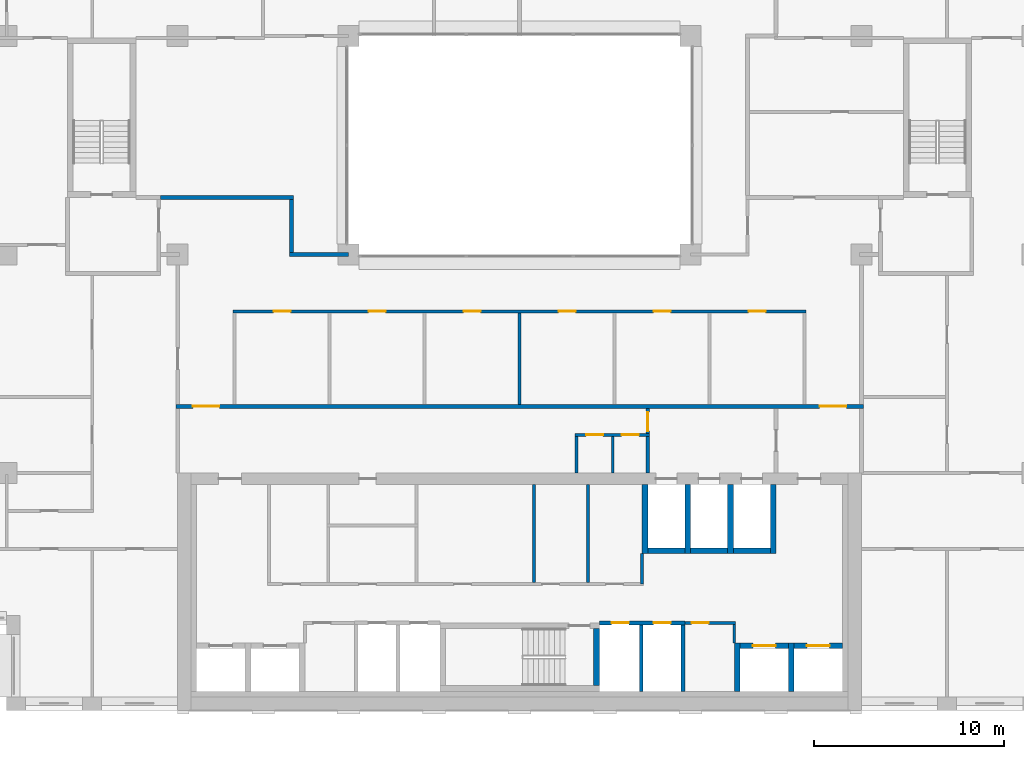
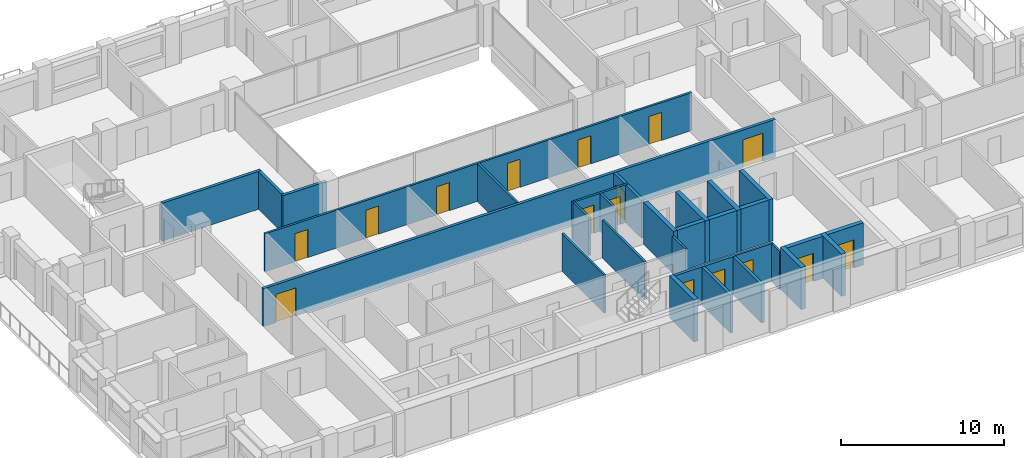
# One storey, part 10 of 16: 31 walls, 16 doors, 16 openings.
"""IFC4 building model written with IfcOpenShell, lengths in metres."""

from ifc_helpers import new_model, si_unit, direction, frame, frame_2d, origin, place, context, subcontext, project, spatial, rectangle, extrude, material, layer, layer_set, type_object, element, fill, save


model = new_model("IFC4")

# Units and contexts
model_context = context("Model", 3, precision=1e-05, world=origin(), true_north=direction((0.0, 1.0)))
body_context = subcontext(model_context, "Body", "Model", "MODEL_VIEW")
ifc_project = project(units=[si_unit("LENGTHUNIT", "METRE"), si_unit("AREAUNIT", "SQUARE_METRE"), si_unit("VOLUMEUNIT", "CUBIC_METRE"), si_unit("PLANEANGLEUNIT", "RADIAN"), si_unit("MASSUNIT", "GRAM", prefix="KILO")], contexts=[model_context])

# Site, building, storey
site_placement = place(None, origin())
site = spatial("IfcSite", under=ifc_project, at=site_placement, CompositionType="ELEMENT")
building_placement = place(site_placement, origin())
building = spatial("IfcBuilding", under=site, at=building_placement, Name="Brigalow Station Residences", CompositionType="ELEMENT")
storey_placement = place(building_placement, frame((0.0, 0.0, 169.64990234375)))
storey = spatial("IfcBuildingStorey", under=building, at=storey_placement, Name="L49", CompositionType="ELEMENT", Elevation=169.64990234375)

# Walls
ifc_material_1 = material(Name="Concrete C65", Category="concrete")
ifc_layer_1 = layer(ifc_material_1, 0.300048828125)
ifc_layer_set_1 = layer_set([ifc_layer_1], Name="CORE SHEAR WALL 300 C65")
wall_type_1 = type_object("IfcWallType", Name="CORE SHEAR WALL 300 C65", PredefinedType="SHEAR", material=ifc_layer_set_1)
wall_1_placement = place(storey_placement, frame((42.75, 8.39990234375, 0.0), z_axis=(0.0, 0.0, 1.0), x_axis=(1.0, 0.0, 0.0)))
element("IfcWall", 1, at=wall_1_placement, inside=storey, type_object=wall_type_1, Name="CORE WALL SH-FF1-S L49", PredefinedType="SHEAR", context=body_context, shape_type="SweptSolid", body=[
    extrude(rectangle(XDim=1.949951171875, YDim=0.300048828125, at=frame_2d((0.97509765625, 0.0))), origin(), (0.0, 0.0, 1.0), 3.150146484375),
])
wall_2_placement = place(storey_placement, frame((42.60009765625, 8.25, 0.0), z_axis=(0.0, 0.0, 1.0), x_axis=(0.0, 1.0, 0.0)))
element("IfcWall", 2, at=wall_2_placement, inside=storey, type_object=wall_type_1, Name="CORE WALL SH-FF1-W L49", PredefinedType="SHEAR", context=body_context, shape_type="SweptSolid", body=[
    extrude(rectangle(XDim=3.64990234375, YDim=0.300048828125, at=frame_2d((1.824951171875, 0.0))), origin(), (0.0, 0.0, 1.0), 3.150146484375),
])
wall_3_placement = place(storey_placement, frame((45.0, 8.39990234375, 0.0), z_axis=(0.0, 0.0, 1.0), x_axis=(1.0, 0.0, 0.0)))
element("IfcWall", 3, at=wall_3_placement, inside=storey, type_object=wall_type_1, Name="CORE WALL SH-FF2-S L49", PredefinedType="SHEAR", context=body_context, shape_type="SweptSolid", body=[
    extrude(rectangle(XDim=1.949951171875, YDim=0.300048828125, at=frame_2d((0.97509765625, 0.0))), origin(), (0.0, 0.0, 1.0), 3.150146484375),
])
wall_4_placement = place(storey_placement, frame((44.85009765625, 8.25, 0.0), z_axis=(0.0, 0.0, 1.0), x_axis=(0.0, 1.0, 0.0)))
element("IfcWall", 4, at=wall_4_placement, inside=storey, type_object=wall_type_1, Name="CORE WALL SH-FF2-W L49", PredefinedType="SHEAR", context=body_context, shape_type="SweptSolid", body=[
    extrude(rectangle(XDim=3.64990234375, YDim=0.300048828125, at=frame_2d((1.824951171875, 0.0))), origin(), (0.0, 0.0, 1.0), 3.150146484375),
])
wall_5_placement = place(storey_placement, frame((47.25, 8.39990234375, 0.0), z_axis=(0.0, 0.0, 1.0), x_axis=(1.0, 0.0, 0.0)))
element("IfcWall", 5, at=wall_5_placement, inside=storey, type_object=wall_type_1, Name="CORE WALL SH-SL1-S L49", PredefinedType="SHEAR", context=body_context, shape_type="SweptSolid", body=[
    extrude(rectangle(XDim=1.949951171875, YDim=0.300048828125, at=frame_2d((0.97509765625, 0.0))), origin(), (0.0, 0.0, 1.0), 3.150146484375),
])
for number, where, z_axis, x_axis, name in (
    (6, (47.10009765625, 8.25, 0.0), (0.0, 0.0, 1.0), (0.0, 1.0, 0.0), "CORE WALL SH-SL1-W L49"),
    (7, (49.35009765625, 8.25, 0.0), (0.0, 0.0, 1.0), (0.0, 1.0, 0.0), "CORE WALL SH-SL1-E L49"),
):
    element("IfcWall", number, at=place(storey_placement, frame(where, z_axis=z_axis, x_axis=x_axis)), inside=storey, type_object=wall_type_1, Name=name, PredefinedType="SHEAR", context=body_context, shape_type="SweptSolid", body=[
        extrude(rectangle(XDim=3.64990234375, YDim=0.300048828125, at=frame_2d((1.824951171875, 0.0))), origin(), (0.0, 0.0, 1.0), 3.150146484375),
    ])

# Wall, opening, door
wall_6_placement = place(storey_placement, frame((47.60009765625, 3.39990234375, 0.0), z_axis=(0.0, 0.0, 1.0), x_axis=(1.0, 0.0, 0.0)))
wall_6 = element("IfcWall", 8, at=wall_6_placement, inside=storey, type_object=wall_type_1, Name="CORE WALL SH-C3-N L49", PredefinedType="SHEAR", context=body_context, shape_type="SweptSolid", body=[
    extrude(rectangle(XDim=2.5498046875, YDim=0.300048828125, at=frame_2d((1.27490234375, 0.0))), origin(), (0.0, 0.0, 1.0), 3.150146484375),
])
opening_1_placement = place(wall_6_placement, frame((0.675048828125, 0.0, 0.0)))
opening_1 = element("IfcOpeningElement", 9, at=opening_1_placement, cuts=wall_6, Name="Opening LD-LB3", PredefinedType="OPENING", context=body_context, shape_type="SweptSolid", body=[
    extrude(rectangle(XDim=1.199951171875, YDim=2.10009765625, at=frame_2d((0.60009765625, 1.050048828125))), frame((0.0, 0.16015625, 0.0), z_axis=(0.0, -1.0, 0.0), x_axis=(1.0, 0.0, 0.0)), (0.0, 0.0, 1.0), 0.320068359375),
])
ifc_material_2 = material(Name="Stainless steel sliding door leaves", Category="steel")
door_type_1 = type_object("IfcDoorType", Name="LIFT LANDING DOOR 1200 x 2100", OperationType="DOUBLE_DOOR_SLIDING", PredefinedType="DOOR", material=ifc_material_2)
door_1_placement = place(opening_1_placement, origin())
door_1 = element("IfcDoor", 10, at=door_1_placement, inside=storey, type_object=door_type_1, Name="LANDING DOOR LB3", OperationType="DOUBLE_DOOR_SLIDING", OverallHeight=2.10009765625, OverallWidth=1.199951171875, PredefinedType="DOOR", context=body_context, shape_type="SweptSolid", body=[
    extrude(rectangle(XDim=1.199951171875, YDim=2.10009765625, at=frame_2d((0.60009765625, 1.050048828125))), frame((0.0, 0.02490234375, 0.0), z_axis=(0.0, -1.0, 0.0), x_axis=(1.0, 0.0, 0.0)), (0.0, 0.0, 1.0), 0.050048828125),
])
fill(opening_1, door_1)

# Wall
wall_7_placement = place(storey_placement, frame((47.449951171875, 1.0, 0.0), z_axis=(0.0, 0.0, 1.0), x_axis=(0.0, 1.0, 0.0)))
element("IfcWall", 11, at=wall_7_placement, inside=storey, type_object=wall_type_1, Name="CORE WALL SH-C3-W L49", PredefinedType="SHEAR", context=body_context, shape_type="SweptSolid", body=[
    extrude(rectangle(XDim=2.550048828125, YDim=0.300048828125, at=frame_2d((1.27490234375, 0.0))), origin(), (0.0, 0.0, 1.0), 3.150146484375),
])

# Wall, opening, door
wall_8_placement = place(storey_placement, frame((50.449951171875, 3.39990234375, 0.0), z_axis=(0.0, 0.0, 1.0), x_axis=(1.0, 0.0, 0.0)))
wall_8 = element("IfcWall", 12, at=wall_8_placement, inside=storey, type_object=wall_type_1, Name="CORE WALL SH-C4-N L49", PredefinedType="SHEAR", context=body_context, shape_type="SweptSolid", body=[
    extrude(rectangle(XDim=2.550048828125, YDim=0.300048828125, at=frame_2d((1.27490234375, 0.0))), origin(), (0.0, 0.0, 1.0), 3.150146484375),
])
opening_2_placement = place(wall_8_placement, frame((0.675048828125, 0.0, 0.0)))
opening_2 = element("IfcOpeningElement", 13, at=opening_2_placement, cuts=wall_8, Name="Opening LD-LB4", PredefinedType="OPENING", context=body_context, shape_type="SweptSolid", body=[
    extrude(rectangle(XDim=1.199951171875, YDim=2.10009765625, at=frame_2d((0.60009765625, 1.050048828125))), frame((0.0, 0.16015625, 0.0), z_axis=(0.0, -1.0, 0.0), x_axis=(1.0, 0.0, 0.0)), (0.0, 0.0, 1.0), 0.320068359375),
])
door_2_placement = place(opening_2_placement, origin())
door_2 = element("IfcDoor", 14, at=door_2_placement, inside=storey, type_object=door_type_1, Name="LANDING DOOR LB4", OperationType="DOUBLE_DOOR_SLIDING", OverallHeight=2.10009765625, OverallWidth=1.199951171875, PredefinedType="DOOR", context=body_context, shape_type="SweptSolid", body=[
    extrude(rectangle(XDim=1.199951171875, YDim=2.10009765625, at=frame_2d((0.60009765625, 1.050048828125))), frame((0.0, 0.02490234375, 0.0), z_axis=(0.0, -1.0, 0.0), x_axis=(1.0, 0.0, 0.0)), (0.0, 0.0, 1.0), 0.050048828125),
])
fill(opening_2, door_2)

# Walls
wall_9_placement = place(storey_placement, frame((50.300048828125, 1.0, 0.0), z_axis=(0.0, 0.0, 1.0), x_axis=(0.0, 1.0, 0.0)))
element("IfcWall", 15, at=wall_9_placement, inside=storey, type_object=wall_type_1, Name="CORE WALL SH-C4-W L49", PredefinedType="SHEAR", context=body_context, shape_type="SweptSolid", body=[
    extrude(rectangle(XDim=2.550048828125, YDim=0.300048828125, at=frame_2d((1.27490234375, 0.0))), origin(), (0.0, 0.0, 1.0), 3.150146484375),
])
wall_10_placement = place(storey_placement, frame((40.050048828125, 1.300048828125, 0.0), z_axis=(0.0, 0.0, 1.0), x_axis=(0.0, 1.0, 0.0)))
element("IfcWall", 16, at=wall_10_placement, inside=storey, type_object=wall_type_1, Name="CORE WALL ST-S2-E L49", PredefinedType="SHEAR", context=body_context, shape_type="SweptSolid", body=[
    extrude(rectangle(XDim=3.0, YDim=0.300048828125, at=frame_2d((1.5, 0.0))), origin(), (0.0, 0.0, 1.0), 3.150146484375),
])

# Wall, openings, doors
ifc_material_3 = material(Name="Concrete blockwork", Category="masonry")
ifc_layer_2 = layer(ifc_material_3, 0.199951171875)
ifc_layer_set_2 = layer_set([ifc_layer_2], Name="FIRE RATED CORE PARTITION 200")
wall_type_2 = type_object("IfcWallType", Name="FIRE RATED CORE PARTITION 200", PredefinedType="PARTITIONING", material=ifc_layer_set_2)
wall_11_placement = place(storey_placement, frame((40.199951171875, 4.60009765625, 0.0), z_axis=(0.0, 0.0, 1.0), x_axis=(1.0, 0.0, 0.0)))
wall_11 = element("IfcWall", 17, at=wall_11_placement, inside=storey, type_object=wall_type_2, Name="PW-5018", PredefinedType="PARTITIONING", context=body_context, shape_type="SweptSolid", body=[
    extrude(rectangle(XDim=4.5, YDim=0.199951171875, at=frame_2d((2.25, 0.0))), origin(), (0.0, 0.0, 1.0), 2.830078125),
])
opening_3_placement = place(wall_11_placement, frame((0.64990234375, 0.0, 0.0)))
opening_3 = element("IfcOpeningElement", 18, at=opening_3_placement, cuts=wall_11, Name="Opening D-5009", PredefinedType="OPENING", context=body_context, shape_type="SweptSolid", body=[
    extrude(rectangle(XDim=0.89990234375, YDim=2.10009765625, at=frame_2d((0.449951171875, 1.050048828125))), frame((0.0, 0.10986328125, 0.0), z_axis=(0.0, -1.0, 0.0), x_axis=(1.0, 0.0, 0.0)), (0.0, 0.0, 1.0), 0.219970703125),
])
opening_4_placement = place(wall_11_placement, frame((2.85009765625, 0.0, 0.0)))
opening_4 = element("IfcOpeningElement", 19, at=opening_4_placement, cuts=wall_11, Name="Opening D-5010", PredefinedType="OPENING", context=body_context, shape_type="SweptSolid", body=[
    extrude(rectangle(XDim=0.89990234375, YDim=2.10009765625, at=frame_2d((0.449951171875, 1.050048828125))), frame((0.0, 0.10986328125, 0.0), z_axis=(0.0, -1.0, 0.0), x_axis=(1.0, 0.0, 0.0)), (0.0, 0.0, 1.0), 0.219970703125),
])
ifc_material_4 = material(Name="Steel fire door leaf in steel frame", Category="steel")
door_type_2 = type_object("IfcDoorType", Name="RISER ACCESS DOOR 900 x 2100 FD120", OperationType="SINGLE_SWING_LEFT", PredefinedType="DOOR", material=ifc_material_4)
door_3_placement = place(opening_3_placement, frame((0.89990234375, 0.0, 0.0), z_axis=(0.0, 0.0, 1.0), x_axis=(-1.0, 0.0, 0.0)))
door_3 = element("IfcDoor", 20, at=door_3_placement, inside=storey, type_object=door_type_2, Name="D-5009", OperationType="SINGLE_SWING_LEFT", OverallHeight=2.10009765625, OverallWidth=0.89990234375, PredefinedType="DOOR", context=body_context, shape_type="SweptSolid", body=[
    extrude(rectangle(XDim=0.89990234375, YDim=2.10009765625, at=frame_2d((0.449951171875, 1.050048828125))), frame((0.0, 0.02490234375, 0.0), z_axis=(0.0, -1.0, 0.0), x_axis=(1.0, 0.0, 0.0)), (0.0, 0.0, 1.0), 0.050048828125),
])
fill(opening_3, door_3)
door_4_placement = place(opening_4_placement, frame((0.89990234375, 0.0, 0.0), z_axis=(0.0, 0.0, 1.0), x_axis=(-1.0, 0.0, 0.0)))
door_4 = element("IfcDoor", 21, at=door_4_placement, inside=storey, type_object=door_type_2, Name="D-5010", OperationType="SINGLE_SWING_LEFT", OverallHeight=2.10009765625, OverallWidth=0.89990234375, PredefinedType="DOOR", context=body_context, shape_type="SweptSolid", body=[
    extrude(rectangle(XDim=0.89990234375, YDim=2.10009765625, at=frame_2d((0.449951171875, 1.050048828125))), frame((0.0, 0.02490234375, 0.0), z_axis=(0.0, -1.0, 0.0), x_axis=(1.0, 0.0, 0.0)), (0.0, 0.0, 1.0), 0.050048828125),
])
fill(opening_4, door_4)

# Walls
for number, where, z_axis, x_axis, name in (
    (22, (42.39990234375, 1.0, 0.0), (0.0, 0.0, 1.0), (0.0, 1.0, 0.0), "PW-5007"),
    (23, (44.60009765625, 1.0, 0.0), (0.0, 0.0, 1.0), (0.0, 1.0, 0.0), "PW-5008"),
):
    element("IfcWall", number, at=place(storey_placement, frame(where, z_axis=z_axis, x_axis=x_axis)), inside=storey, type_object=wall_type_2, Name=name, PredefinedType="PARTITIONING", context=body_context, shape_type="SweptSolid", body=[
        extrude(rectangle(XDim=3.5, YDim=0.199951171875, at=frame_2d((1.75, 0.0))), origin(), (0.0, 0.0, 1.0), 2.830078125),
    ])
wall_12_placement = place(storey_placement, frame((42.75, 12.5, 0.0), z_axis=(0.0, 0.0, 1.0), x_axis=(0.0, 1.0, 0.0)))
element("IfcWall", 24, at=wall_12_placement, inside=storey, type_object=wall_type_2, Name="PW-5046", PredefinedType="PARTITIONING", context=body_context, shape_type="SweptSolid", body=[
    extrude(rectangle(XDim=1.925048828125, YDim=0.199951171875, at=frame_2d((0.96240234375, 0.0))), origin(), (0.0, 0.0, 1.0), 2.830078125),
])

# Wall, opening, door
wall_13_placement = place(storey_placement, frame((42.75, 14.574951171875, 0.0), z_axis=(0.0, 0.0, 1.0), x_axis=(0.0, 1.0, 0.0)))
wall_13 = element("IfcWall", 25, at=wall_13_placement, inside=storey, type_object=wall_type_2, Name="PW-5047", PredefinedType="PARTITIONING", context=body_context, shape_type="SweptSolid", body=[
    extrude(rectangle(XDim=1.324951171875, YDim=0.199951171875, at=frame_2d((0.66259765625, 0.0))), origin(), (0.0, 0.0, 1.0), 2.830078125),
])
opening_5_placement = place(wall_13_placement, frame((0.125, 0.0, 0.0)))
opening_5 = element("IfcOpeningElement", 26, at=opening_5_placement, cuts=wall_13, Name="Opening D-5013", PredefinedType="OPENING", context=body_context, shape_type="SweptSolid", body=[
    extrude(rectangle(XDim=1.0, YDim=2.10009765625, at=frame_2d((0.5, 1.050048828125))), frame((0.0, 0.10986328125, 0.0), z_axis=(0.0, -1.0, 0.0), x_axis=(1.0, 0.0, 0.0)), (0.0, 0.0, 1.0), 0.219970703125),
])
ifc_material_5 = material(Name="Steel fire door leaf in steel frame", Category="steel")
door_type_3 = type_object("IfcDoorType", Name="LOBBY DOOR 1000 x 2100 FD60S", OperationType="SINGLE_SWING_LEFT", PredefinedType="DOOR", material=ifc_material_5)
door_5_placement = place(opening_5_placement, origin())
door_5 = element("IfcDoor", 27, at=door_5_placement, inside=storey, type_object=door_type_3, Name="D-5013", OperationType="SINGLE_SWING_LEFT", OverallHeight=2.10009765625, OverallWidth=1.0, PredefinedType="DOOR", context=body_context, shape_type="SweptSolid", body=[
    extrude(rectangle(XDim=1.0, YDim=2.10009765625, at=frame_2d((0.5, 1.050048828125))), frame((0.0, 0.02490234375, 0.0), z_axis=(0.0, -1.0, 0.0), x_axis=(1.0, 0.0, 0.0)), (0.0, 0.0, 1.0), 0.050048828125),
])
fill(opening_5, door_5)

# Wall, openings, doors
ifc_material_6 = material(Name="Plasterboard on steel stud partition", Category="steel")
ifc_layer_3 = layer(ifc_material_6, 0.14990234375)
ifc_layer_set_3 = layer_set([ifc_layer_3], Name="FLAT PARTITION 150")
wall_type_3 = type_object("IfcWallType", Name="FLAT PARTITION 150", PredefinedType="PARTITIONING", material=ifc_layer_set_3)
wall_14_placement = place(storey_placement, frame((20.925048828125, 21.0, 0.0), z_axis=(0.0, 0.0, 1.0), x_axis=(1.0, 0.0, 0.0)))
wall_14 = element("IfcWall", 28, at=wall_14_placement, inside=storey, type_object=wall_type_3, Name="PW-3D05", PredefinedType="PARTITIONING", context=body_context, shape_type="SweptSolid", body=[
    extrude(rectangle(XDim=30.14990234375, YDim=0.14990234375, at=frame_2d((15.074951171875, 0.0))), origin(), (0.0, 0.0, 1.0), 2.830078125),
])
opening_6_placement = place(wall_14_placement, frame((2.125, 0.0, 0.0)))
opening_6 = element("IfcOpeningElement", 29, at=opening_6_placement, cuts=wall_14, Name="Opening D-3D37", PredefinedType="OPENING", context=body_context, shape_type="SweptSolid", body=[
    extrude(rectangle(XDim=0.89990234375, YDim=2.10009765625, at=frame_2d((0.449951171875, 1.050048828125))), frame((0.0, 0.0849609375, 0.0), z_axis=(0.0, -1.0, 0.0), x_axis=(1.0, 0.0, 0.0)), (0.0, 0.0, 1.0), 0.169921875),
])
opening_7_placement = place(wall_14_placement, frame((7.125, 0.0, 0.0)))
opening_7 = element("IfcOpeningElement", 30, at=opening_7_placement, cuts=wall_14, Name="Opening D-3D38", PredefinedType="OPENING", context=body_context, shape_type="SweptSolid", body=[
    extrude(rectangle(XDim=0.89990234375, YDim=2.10009765625, at=frame_2d((0.449951171875, 1.050048828125))), frame((0.0, 0.0849609375, 0.0), z_axis=(0.0, -1.0, 0.0), x_axis=(1.0, 0.0, 0.0)), (0.0, 0.0, 1.0), 0.169921875),
])
opening_8_placement = place(wall_14_placement, frame((12.125, 0.0, 0.0)))
opening_8 = element("IfcOpeningElement", 31, at=opening_8_placement, cuts=wall_14, Name="Opening D-3D39", PredefinedType="OPENING", context=body_context, shape_type="SweptSolid", body=[
    extrude(rectangle(XDim=0.89990234375, YDim=2.10009765625, at=frame_2d((0.449951171875, 1.050048828125))), frame((0.0, 0.0849609375, 0.0), z_axis=(0.0, -1.0, 0.0), x_axis=(1.0, 0.0, 0.0)), (0.0, 0.0, 1.0), 0.169921875),
])
opening_9_placement = place(wall_14_placement, frame((17.125, 0.0, 0.0)))
opening_9 = element("IfcOpeningElement", 32, at=opening_9_placement, cuts=wall_14, Name="Opening D-3D40", PredefinedType="OPENING", context=body_context, shape_type="SweptSolid", body=[
    extrude(rectangle(XDim=0.89990234375, YDim=2.10009765625, at=frame_2d((0.449951171875, 1.050048828125))), frame((0.0, 0.0849609375, 0.0), z_axis=(0.0, -1.0, 0.0), x_axis=(1.0, 0.0, 0.0)), (0.0, 0.0, 1.0), 0.169921875),
])
opening_10_placement = place(wall_14_placement, frame((22.125, 0.0, 0.0)))
opening_10 = element("IfcOpeningElement", 33, at=opening_10_placement, cuts=wall_14, Name="Opening D-3D41", PredefinedType="OPENING", context=body_context, shape_type="SweptSolid", body=[
    extrude(rectangle(XDim=0.89990234375, YDim=2.10009765625, at=frame_2d((0.449951171875, 1.050048828125))), frame((0.0, 0.0849609375, 0.0), z_axis=(0.0, -1.0, 0.0), x_axis=(1.0, 0.0, 0.0)), (0.0, 0.0, 1.0), 0.169921875),
])
opening_11_placement = place(wall_14_placement, frame((27.125, 0.0, 0.0)))
opening_11 = element("IfcOpeningElement", 34, at=opening_11_placement, cuts=wall_14, Name="Opening D-3D42", PredefinedType="OPENING", context=body_context, shape_type="SweptSolid", body=[
    extrude(rectangle(XDim=0.89990234375, YDim=2.10009765625, at=frame_2d((0.449951171875, 1.050048828125))), frame((0.0, 0.0849609375, 0.0), z_axis=(0.0, -1.0, 0.0), x_axis=(1.0, 0.0, 0.0)), (0.0, 0.0, 1.0), 0.169921875),
])
ifc_material_7 = material(Name="Solid-core timber door leaf", Category="wood")
door_type_4 = type_object("IfcDoorType", Name="INTERNAL DOOR 900 x 2100", OperationType="SINGLE_SWING_LEFT", PredefinedType="DOOR", material=ifc_material_7)
door_6_placement = place(opening_6_placement, frame((0.89990234375, 0.0, 0.0), z_axis=(0.0, 0.0, 1.0), x_axis=(-1.0, 0.0, 0.0)))
door_6 = element("IfcDoor", 35, at=door_6_placement, inside=storey, type_object=door_type_4, Name="D-3D37", OperationType="SINGLE_SWING_RIGHT", OverallHeight=2.10009765625, OverallWidth=0.89990234375, PredefinedType="DOOR", context=body_context, shape_type="SweptSolid", body=[
    extrude(rectangle(XDim=0.89990234375, YDim=2.10009765625, at=frame_2d((0.449951171875, 1.050048828125))), frame((0.0, 0.02490234375, 0.0), z_axis=(0.0, -1.0, 0.0), x_axis=(1.0, 0.0, 0.0)), (0.0, 0.0, 1.0), 0.050048828125),
])
fill(opening_6, door_6)
door_7_placement = place(opening_7_placement, frame((0.89990234375, 0.0, 0.0), z_axis=(0.0, 0.0, 1.0), x_axis=(-1.0, 0.0, 0.0)))
door_7 = element("IfcDoor", 36, at=door_7_placement, inside=storey, type_object=door_type_4, Name="D-3D38", OperationType="SINGLE_SWING_LEFT", OverallHeight=2.10009765625, OverallWidth=0.89990234375, PredefinedType="DOOR", context=body_context, shape_type="SweptSolid", body=[
    extrude(rectangle(XDim=0.89990234375, YDim=2.10009765625, at=frame_2d((0.449951171875, 1.050048828125))), frame((0.0, 0.02490234375, 0.0), z_axis=(0.0, -1.0, 0.0), x_axis=(1.0, 0.0, 0.0)), (0.0, 0.0, 1.0), 0.050048828125),
])
fill(opening_7, door_7)
door_8_placement = place(opening_8_placement, frame((0.89990234375, 0.0, 0.0), z_axis=(0.0, 0.0, 1.0), x_axis=(-1.0, 0.0, 0.0)))
door_8 = element("IfcDoor", 37, at=door_8_placement, inside=storey, type_object=door_type_4, Name="D-3D39", OperationType="SINGLE_SWING_LEFT", OverallHeight=2.10009765625, OverallWidth=0.89990234375, PredefinedType="DOOR", context=body_context, shape_type="SweptSolid", body=[
    extrude(rectangle(XDim=0.89990234375, YDim=2.10009765625, at=frame_2d((0.449951171875, 1.050048828125))), frame((0.0, 0.02490234375, 0.0), z_axis=(0.0, -1.0, 0.0), x_axis=(1.0, 0.0, 0.0)), (0.0, 0.0, 1.0), 0.050048828125),
])
fill(opening_8, door_8)
door_9_placement = place(opening_9_placement, frame((0.89990234375, 0.0, 0.0), z_axis=(0.0, 0.0, 1.0), x_axis=(-1.0, 0.0, 0.0)))
door_9 = element("IfcDoor", 38, at=door_9_placement, inside=storey, type_object=door_type_4, Name="D-3D40", OperationType="SINGLE_SWING_LEFT", OverallHeight=2.10009765625, OverallWidth=0.89990234375, PredefinedType="DOOR", context=body_context, shape_type="SweptSolid", body=[
    extrude(rectangle(XDim=0.89990234375, YDim=2.10009765625, at=frame_2d((0.449951171875, 1.050048828125))), frame((0.0, 0.02490234375, 0.0), z_axis=(0.0, -1.0, 0.0), x_axis=(1.0, 0.0, 0.0)), (0.0, 0.0, 1.0), 0.050048828125),
])
fill(opening_9, door_9)
door_10_placement = place(opening_10_placement, frame((0.89990234375, 0.0, 0.0), z_axis=(0.0, 0.0, 1.0), x_axis=(-1.0, 0.0, 0.0)))
door_10 = element("IfcDoor", 39, at=door_10_placement, inside=storey, type_object=door_type_4, Name="D-3D41", OperationType="SINGLE_SWING_RIGHT", OverallHeight=2.10009765625, OverallWidth=0.89990234375, PredefinedType="DOOR", context=body_context, shape_type="SweptSolid", body=[
    extrude(rectangle(XDim=0.89990234375, YDim=2.10009765625, at=frame_2d((0.449951171875, 1.050048828125))), frame((0.0, 0.02490234375, 0.0), z_axis=(0.0, -1.0, 0.0), x_axis=(1.0, 0.0, 0.0)), (0.0, 0.0, 1.0), 0.050048828125),
])
fill(opening_10, door_10)
door_11_placement = place(opening_11_placement, frame((0.89990234375, 0.0, 0.0), z_axis=(0.0, 0.0, 1.0), x_axis=(-1.0, 0.0, 0.0)))
door_11 = element("IfcDoor", 40, at=door_11_placement, inside=storey, type_object=door_type_4, Name="D-3D42", OperationType="SINGLE_SWING_LEFT", OverallHeight=2.10009765625, OverallWidth=0.89990234375, PredefinedType="DOOR", context=body_context, shape_type="SweptSolid", body=[
    extrude(rectangle(XDim=0.89990234375, YDim=2.10009765625, at=frame_2d((0.449951171875, 1.050048828125))), frame((0.0, 0.02490234375, 0.0), z_axis=(0.0, -1.0, 0.0), x_axis=(1.0, 0.0, 0.0)), (0.0, 0.0, 1.0), 0.050048828125),
])
fill(opening_11, door_11)

# Walls
wall_15_placement = place(storey_placement, frame((36.0, 16.10009765625, 0.0), z_axis=(0.0, 0.0, 1.0), x_axis=(0.0, 1.0, 0.0)))
element("IfcWall", 41, at=wall_15_placement, inside=storey, type_object=wall_type_3, Name="PW-3D42", PredefinedType="PARTITIONING", context=body_context, shape_type="SweptSolid", body=[
    extrude(rectangle(XDim=4.824951171875, YDim=0.14990234375, at=frame_2d((2.41259765625, 0.0))), origin(), (0.0, 0.0, 1.0), 2.830078125),
])
ifc_material_8 = material(Name="Plasterboard on steel stud partition", Category="steel")
ifc_layer_4 = layer(ifc_material_8, 0.199951171875)
ifc_layer_set_4 = layer_set([ifc_layer_4], Name="PARTY AND CORRIDOR WALL 200")
wall_type_4 = type_object("IfcWallType", Name="PARTY AND CORRIDOR WALL 200", PredefinedType="PARTITIONING", material=ifc_layer_set_4)
wall_16_placement = place(storey_placement, frame((23.89990234375, 24.0, 0.0), z_axis=(0.0, 0.0, 1.0), x_axis=(1.0, 0.0, 0.0)))
element("IfcWall", 42, at=wall_16_placement, inside=storey, type_object=wall_type_4, Name="PW-3D03", PredefinedType="PARTITIONING", context=body_context, shape_type="SweptSolid", body=[
    extrude(rectangle(XDim=3.10009765625, YDim=0.199951171875, at=frame_2d((1.550048828125, 0.0))), origin(), (0.0, 0.0, 1.0), 2.830078125),
])
wall_17_placement = place(storey_placement, frame((17.10009765625, 27.0, 0.0), z_axis=(0.0, 0.0, 1.0), x_axis=(1.0, 0.0, 0.0)))
element("IfcWall", 43, at=wall_17_placement, inside=storey, type_object=wall_type_4, Name="PW-3D06", PredefinedType="PARTITIONING", context=body_context, shape_type="SweptSolid", body=[
    extrude(rectangle(XDim=7.0, YDim=0.199951171875, at=frame_2d((3.5, 0.0))), origin(), (0.0, 0.0, 1.0), 2.830078125),
])

# Wall, openings, doors
wall_18_placement = place(storey_placement, frame((17.89990234375, 16.0, 0.0), z_axis=(0.0, 0.0, 1.0), x_axis=(1.0, 0.0, 0.0)))
wall_18 = element("IfcWall", 44, at=wall_18_placement, inside=storey, type_object=wall_type_4, Name="PW-3D27", PredefinedType="PARTITIONING", context=body_context, shape_type="SweptSolid", body=[
    extrude(rectangle(XDim=36.2001953125, YDim=0.199951171875, at=frame_2d((18.10009765625, 0.0))), origin(), (0.0, 0.0, 1.0), 2.830078125),
])
opening_12_placement = place(wall_18_placement, frame((0.89990234375, 0.0, 0.0)))
opening_12 = element("IfcOpeningElement", 45, at=opening_12_placement, cuts=wall_18, Name="Opening D-3D01", PredefinedType="OPENING", context=body_context, shape_type="SweptSolid", body=[
    extrude(rectangle(XDim=1.39990234375, YDim=2.10009765625, at=frame_2d((0.699951171875, 1.050048828125))), frame((0.0, 0.10986328125, 0.0), z_axis=(0.0, -1.0, 0.0), x_axis=(1.0, 0.0, 0.0)), (0.0, 0.0, 1.0), 0.219970703125),
])
opening_13_placement = place(wall_18_placement, frame((33.89990234375, 0.0, 0.0)))
opening_13 = element("IfcOpeningElement", 46, at=opening_13_placement, cuts=wall_18, Name="Opening D-3D02", PredefinedType="OPENING", context=body_context, shape_type="SweptSolid", body=[
    extrude(rectangle(XDim=1.39990234375, YDim=2.10009765625, at=frame_2d((0.699951171875, 1.050048828125))), frame((0.0, 0.10986328125, 0.0), z_axis=(0.0, -1.0, 0.0), x_axis=(1.0, 0.0, 0.0)), (0.0, 0.0, 1.0), 0.219970703125),
])
ifc_material_9 = material(Name="Solid-core timber door leaf", Category="wood")
door_type_5 = type_object("IfcDoorType", Name="CORRIDOR FIRE DOOR 1400 x 2100 FRL -/60/30", OperationType="DOUBLE_DOOR_SINGLE_SWING", PredefinedType="DOOR", material=ifc_material_9)
door_12_placement = place(opening_12_placement, frame((1.39990234375, 0.0, 0.0), z_axis=(0.0, 0.0, 1.0), x_axis=(-1.0, 0.0, 0.0)))
door_12 = element("IfcDoor", 47, at=door_12_placement, inside=storey, type_object=door_type_5, Name="D-3D01", OperationType="DOUBLE_DOOR_SINGLE_SWING", OverallHeight=2.10009765625, OverallWidth=1.39990234375, PredefinedType="DOOR", context=body_context, shape_type="SweptSolid", body=[
    extrude(rectangle(XDim=1.39990234375, YDim=2.10009765625, at=frame_2d((0.699951171875, 1.050048828125))), frame((0.0, 0.02490234375, 0.0), z_axis=(0.0, -1.0, 0.0), x_axis=(1.0, 0.0, 0.0)), (0.0, 0.0, 1.0), 0.050048828125),
])
fill(opening_12, door_12)
door_13_placement = place(opening_13_placement, frame((1.39990234375, 0.0, 0.0), z_axis=(0.0, 0.0, 1.0), x_axis=(-1.0, 0.0, 0.0)))
door_13 = element("IfcDoor", 48, at=door_13_placement, inside=storey, type_object=door_type_5, Name="D-3D02", OperationType="DOUBLE_DOOR_SINGLE_SWING", OverallHeight=2.10009765625, OverallWidth=1.39990234375, PredefinedType="DOOR", context=body_context, shape_type="SweptSolid", body=[
    extrude(rectangle(XDim=1.39990234375, YDim=2.10009765625, at=frame_2d((0.699951171875, 1.050048828125))), frame((0.0, 0.02490234375, 0.0), z_axis=(0.0, -1.0, 0.0), x_axis=(1.0, 0.0, 0.0)), (0.0, 0.0, 1.0), 0.050048828125),
])
fill(opening_13, door_13)

# Wall
wall_19_placement = place(storey_placement, frame((24.0, 24.10009765625, 0.0), z_axis=(0.0, 0.0, 1.0), x_axis=(0.0, 1.0, 0.0)))
element("IfcWall", 49, at=wall_19_placement, inside=storey, type_object=wall_type_4, Name="PW-3D32", PredefinedType="PARTITIONING", context=body_context, shape_type="SweptSolid", body=[
    extrude(rectangle(XDim=2.7998046875, YDim=0.199951171875, at=frame_2d((1.39990234375, 0.0))), origin(), (0.0, 0.0, 1.0), 2.830078125),
])

# Wall, opening, door
ifc_material_10 = material(Name="Plasterboard on steel studs", Category="steel")
ifc_layer_5 = layer(ifc_material_10, 0.14990234375)
ifc_layer_set_5 = layer_set([ifc_layer_5], Name="SERVICE ROOM PARTITION 150")
wall_type_5 = type_object("IfcWallType", Name="SERVICE ROOM PARTITION 150", PredefinedType="PARTITIONING", material=ifc_layer_set_5)
wall_20_placement = place(storey_placement, frame((44.699951171875, 4.60009765625, 0.0), z_axis=(0.0, 0.0, 1.0), x_axis=(1.0, 0.0, 0.0)))
wall_20 = element("IfcWall", 50, at=wall_20_placement, inside=storey, type_object=wall_type_5, Name="PW-5156", PredefinedType="PARTITIONING", context=body_context, shape_type="SweptSolid", body=[
    extrude(rectangle(XDim=2.675048828125, YDim=0.14990234375, at=frame_2d((1.33740234375, 0.0))), origin(), (0.0, 0.0, 1.0), 2.830078125),
])
opening_14_placement = place(wall_20_placement, frame((0.35009765625, 0.0, 0.0)))
opening_14 = element("IfcOpeningElement", 51, at=opening_14_placement, cuts=wall_20, Name="Opening D-5026", PredefinedType="OPENING", context=body_context, shape_type="SweptSolid", body=[
    extrude(rectangle(XDim=0.89990234375, YDim=2.10009765625, at=frame_2d((0.449951171875, 1.050048828125))), frame((0.0, 0.0849609375, 0.0), z_axis=(0.0, -1.0, 0.0), x_axis=(1.0, 0.0, 0.0)), (0.0, 0.0, 1.0), 0.169921875),
])
ifc_material_11 = material(Name="Steel door leaf in steel frame", Category="steel")
door_type_6 = type_object("IfcDoorType", Name="SERVICE ROOM DOOR 900 x 2100 FD60", OperationType="SINGLE_SWING_LEFT", PredefinedType="DOOR", material=ifc_material_11)
door_14_placement = place(opening_14_placement, frame((0.89990234375, 0.0, 0.0), z_axis=(0.0, 0.0, 1.0), x_axis=(-1.0, 0.0, 0.0)))
door_14 = element("IfcDoor", 52, at=door_14_placement, inside=storey, type_object=door_type_6, Name="D-5026", OperationType="SINGLE_SWING_RIGHT", OverallHeight=2.10009765625, OverallWidth=0.89990234375, PredefinedType="DOOR", context=body_context, shape_type="SweptSolid", body=[
    extrude(rectangle(XDim=0.89990234375, YDim=2.10009765625, at=frame_2d((0.449951171875, 1.050048828125))), frame((0.0, 0.02490234375, 0.0), z_axis=(0.0, -1.0, 0.0), x_axis=(1.0, 0.0, 0.0)), (0.0, 0.0, 1.0), 0.050048828125),
])
fill(opening_14, door_14)

# Wall, openings, doors
wall_21_placement = place(storey_placement, frame((38.925048828125, 14.5, 0.0), z_axis=(0.0, 0.0, 1.0), x_axis=(1.0, 0.0, 0.0)))
wall_21 = element("IfcWall", 53, at=wall_21_placement, inside=storey, type_object=wall_type_5, Name="PW-5129", PredefinedType="PARTITIONING", context=body_context, shape_type="SweptSolid", body=[
    extrude(rectangle(XDim=3.925048828125, YDim=0.14990234375, at=frame_2d((1.96240234375, 0.0))), origin(), (0.0, 0.0, 1.0), 2.830078125),
])
opening_15_placement = place(wall_21_placement, frame((0.574951171875, 0.0, 0.0)))
opening_15 = element("IfcOpeningElement", 54, at=opening_15_placement, cuts=wall_21, Name="Opening D-5077", PredefinedType="OPENING", context=body_context, shape_type="SweptSolid", body=[
    extrude(rectangle(XDim=0.89990234375, YDim=2.10009765625, at=frame_2d((0.449951171875, 1.050048828125))), frame((0.0, 0.0849609375, 0.0), z_axis=(0.0, -1.0, 0.0), x_axis=(1.0, 0.0, 0.0)), (0.0, 0.0, 1.0), 0.169921875),
])
opening_16_placement = place(wall_21_placement, frame((2.449951171875, 0.0, 0.0)))
opening_16 = element("IfcOpeningElement", 55, at=opening_16_placement, cuts=wall_21, Name="Opening D-5078", PredefinedType="OPENING", context=body_context, shape_type="SweptSolid", body=[
    extrude(rectangle(XDim=0.89990234375, YDim=2.10009765625, at=frame_2d((0.449951171875, 1.050048828125))), frame((0.0, 0.0849609375, 0.0), z_axis=(0.0, -1.0, 0.0), x_axis=(1.0, 0.0, 0.0)), (0.0, 0.0, 1.0), 0.169921875),
])
door_15_placement = place(opening_15_placement, frame((0.89990234375, 0.0, 0.0), z_axis=(0.0, 0.0, 1.0), x_axis=(-1.0, 0.0, 0.0)))
door_15 = element("IfcDoor", 56, at=door_15_placement, inside=storey, type_object=door_type_6, Name="D-5077", OperationType="SINGLE_SWING_RIGHT", OverallHeight=2.10009765625, OverallWidth=0.89990234375, PredefinedType="DOOR", context=body_context, shape_type="SweptSolid", body=[
    extrude(rectangle(XDim=0.89990234375, YDim=2.10009765625, at=frame_2d((0.449951171875, 1.050048828125))), frame((0.0, 0.02490234375, 0.0), z_axis=(0.0, -1.0, 0.0), x_axis=(1.0, 0.0, 0.0)), (0.0, 0.0, 1.0), 0.050048828125),
])
fill(opening_15, door_15)
door_16_placement = place(opening_16_placement, frame((0.89990234375, 0.0, 0.0), z_axis=(0.0, 0.0, 1.0), x_axis=(-1.0, 0.0, 0.0)))
door_16 = element("IfcDoor", 57, at=door_16_placement, inside=storey, type_object=door_type_6, Name="D-5078", OperationType="SINGLE_SWING_LEFT", OverallHeight=2.10009765625, OverallWidth=0.89990234375, PredefinedType="DOOR", context=body_context, shape_type="SweptSolid", body=[
    extrude(rectangle(XDim=0.89990234375, YDim=2.10009765625, at=frame_2d((0.449951171875, 1.050048828125))), frame((0.0, 0.02490234375, 0.0), z_axis=(0.0, -1.0, 0.0), x_axis=(1.0, 0.0, 0.0)), (0.0, 0.0, 1.0), 0.050048828125),
])
fill(opening_16, door_16)

# Walls
wall_22_placement = place(storey_placement, frame((47.300048828125, 3.550048828125, 0.0), z_axis=(0.0, 0.0, 1.0), x_axis=(0.0, 1.0, 0.0)))
element("IfcWall", 58, at=wall_22_placement, inside=storey, type_object=wall_type_5, Name="PW-5158", PredefinedType="PARTITIONING", context=body_context, shape_type="SweptSolid", body=[
    extrude(rectangle(XDim=0.974853515625, YDim=0.14990234375, at=frame_2d((0.4873046875, 0.0))), origin(), (0.0, 0.0, 1.0), 2.830078125),
])
wall_23_placement = place(storey_placement, frame((42.449951171875, 6.64990234375, 0.0), z_axis=(0.0, 0.0, 1.0), x_axis=(0.0, 1.0, 0.0)))
element("IfcWall", 59, at=wall_23_placement, inside=storey, type_object=wall_type_5, Name="PW-5029", PredefinedType="PARTITIONING", context=body_context, shape_type="SweptSolid", body=[
    extrude(rectangle(XDim=1.60009765625, YDim=0.14990234375, at=frame_2d((0.800048828125, 0.0))), origin(), (0.0, 0.0, 1.0), 2.830078125),
])
for number, where, z_axis, x_axis, name in (
    (60, (36.75, 6.72509765625, 0.0), (0.0, 0.0, 1.0), (0.0, 1.0, 0.0), "PW-5227"),
    (61, (39.60009765625, 6.72509765625, 0.0), (0.0, 0.0, 1.0), (0.0, 1.0, 0.0), "PW-5201"),
):
    element("IfcWall", number, at=place(storey_placement, frame(where, z_axis=z_axis, x_axis=x_axis)), inside=storey, type_object=wall_type_5, Name=name, PredefinedType="PARTITIONING", context=body_context, shape_type="SweptSolid", body=[
        extrude(rectangle(XDim=5.1748046875, YDim=0.14990234375, at=frame_2d((2.58740234375, 0.0))), origin(), (0.0, 0.0, 1.0), 2.830078125),
    ])
for number, where, z_axis, x_axis, name in (
    (62, (39.0, 12.5, 0.0), (0.0, 0.0, 1.0), (0.0, 1.0, 0.0), "PW-5136"),
    (63, (40.89990234375, 12.5, 0.0), (0.0, 0.0, 1.0), (0.0, 1.0, 0.0), "PW-5137"),
):
    element("IfcWall", number, at=place(storey_placement, frame(where, z_axis=z_axis, x_axis=x_axis)), inside=storey, type_object=wall_type_5, Name=name, PredefinedType="PARTITIONING", context=body_context, shape_type="SweptSolid", body=[
        extrude(rectangle(XDim=1.925048828125, YDim=0.14990234375, at=frame_2d((0.96240234375, 0.0))), origin(), (0.0, 0.0, 1.0), 2.830078125),
    ])

save(model, "model.ifc")
